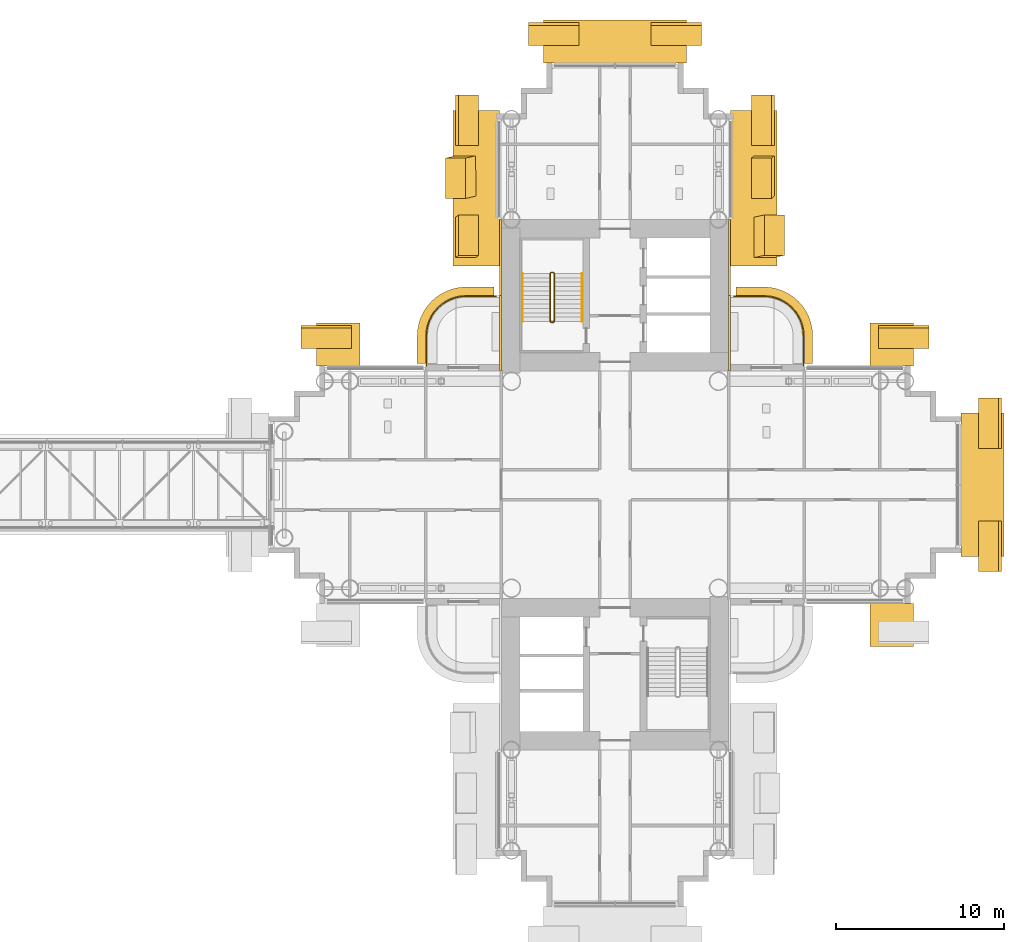
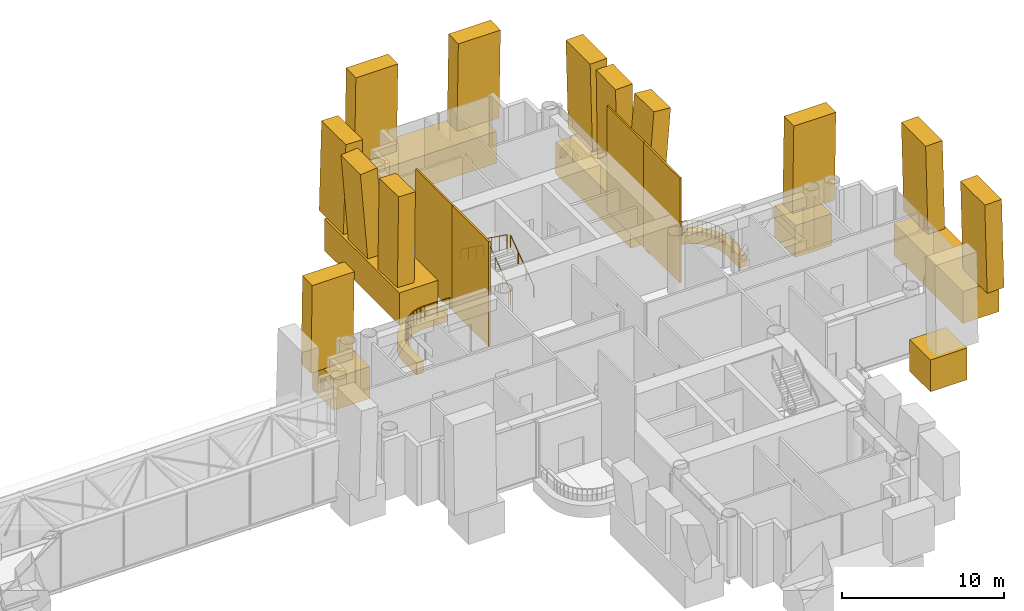
# One storey, part 26 of 27: 25 coverings, 5 railings.
"""IFC4 building model written with IfcOpenShell, lengths in metres."""

from ifc_helpers import new_model, si_unit, direction, frame, origin, origin_2d, place, context, subcontext, project, spatial, polyline, rectangle, circle, outline, extrude, material, layer, layer_set, material_profile, profile_set, type_object, element, save


model = new_model("IFC4")

# Units and contexts
model_context = context("Model", 3, precision=1e-05, world=origin(), true_north=direction((0.0, 1.0)))
body_context = subcontext(model_context, "Body", "Model", "MODEL_VIEW")
ifc_project = project(units=[si_unit("LENGTHUNIT", "METRE"), si_unit("AREAUNIT", "SQUARE_METRE"), si_unit("VOLUMEUNIT", "CUBIC_METRE"), si_unit("PLANEANGLEUNIT", "RADIAN"), si_unit("MASSUNIT", "GRAM", prefix="KILO")], contexts=[model_context])

# Site, building, storey
site_placement = place(None, origin())
site = spatial("IfcSite", under=ifc_project, at=site_placement, CompositionType="ELEMENT")
building_placement = place(site_placement, origin())
building = spatial("IfcBuilding", under=site, at=building_placement, Name="Ipe Terrace Towers", CompositionType="ELEMENT")
storey_placement = place(building_placement, frame((0.0, 0.0, 72.10009765625)))
storey = spatial("IfcBuildingStorey", under=building, at=storey_placement, Name="L19", CompositionType="ELEMENT", Elevation=72.10009765625)

# Railings
ifc_material_1 = material(Name="Stainless steel S316", Category="steel")
railing_type_1 = type_object("IfcRailingType", Name="GUARD 1100", PredefinedType="BALUSTRADE", material=ifc_material_1)
railing_1_placement = place(storey_placement, frame((28.929931640625, 11.199951171875, -0.02001953125)))
element("IfcRailing", 1, at=railing_1_placement, inside=storey, type_object=railing_type_1, Name="guard", PredefinedType="BALUSTRADE", context=body_context, shape_type="SweptSolid", body=[
    extrude(circle(Radius=0.02392578125, at=origin_2d()), frame((0.0, 0.0, 1.076171875), z_axis=(-1.0, 0.0, 0.0), x_axis=(0.0, -1.0, 0.0)), (0.0, 0.0, 1.0), 1.77783203125),
    extrude(circle(Radius=0.02392578125, at=origin_2d()), frame((-1.77783203125, 0.0, 1.076171875), z_axis=(-0.99790894031, -0.064635492184, 0.0), x_axis=(0.064635492184, -0.99790894031, 0.0)), (0.0, 0.0, 1.0), 0.309814453125),
    extrude(circle(Radius=0.02392578125, at=origin_2d()), frame((-2.0869140625, -0.02001953125, 1.076171875), z_axis=(-0.980824674538, -0.194892169718, 0.0), x_axis=(0.194892169718, -0.980824674538, 0.0)), (0.0, 0.0, 1.0), 0.306884765625),
    extrude(circle(Radius=0.02392578125, at=origin_2d()), frame((-2.387939453125, -0.079833984375, 1.076171875), z_axis=(-0.946598348228, -0.322415209212, 0.0), x_axis=(0.322415209212, -0.946598348228, 0.0)), (0.0, 0.0, 1.0), 0.307373046875),
    extrude(circle(Radius=0.02392578125, at=origin_2d()), frame((-2.678955078125, -0.178955078125, 1.076171875), z_axis=(-0.896952807524, -0.44212629539, 0.0), x_axis=(0.44212629539, -0.896952807524, 0.0)), (0.0, 0.0, 1.0), 0.3076171875),
    extrude(circle(Radius=0.02392578125, at=origin_2d()), frame((-2.954833984375, -0.31494140625, 1.076171875), z_axis=(-0.831806228742, -0.555066120228, 0.0), x_axis=(0.555066120228, -0.831806228742, 0.0)), (0.0, 0.0, 1.0), 0.307861328125),
    extrude(circle(Radius=0.02392578125, at=origin_2d()), frame((-3.2109375, -0.48583984375, 1.076171875), z_axis=(-0.752478137252, -0.658617227954, 0.0), x_axis=(0.658617227954, -0.752478137252, 0.0)), (0.0, 0.0, 1.0), 0.306884765625),
    extrude(circle(Radius=0.02392578125, at=origin_2d()), frame((-3.44189453125, -0.68798828125, 1.076171875), z_axis=(-0.658617227954, -0.752478137252, 0.0), x_axis=(0.752478137252, -0.658617227954, 0.0)), (0.0, 0.0, 1.0), 0.306884765625),
    extrude(circle(Radius=0.02392578125, at=origin_2d()), frame((-3.64404296875, -0.9189453125, 1.076171875), z_axis=(-0.555066120228, -0.831806228742, 0.0), x_axis=(0.831806228742, -0.555066120228, 0.0)), (0.0, 0.0, 1.0), 0.307861328125),
    extrude(circle(Radius=0.02392578125, at=origin_2d()), frame((-3.81494140625, -1.175048828125, 1.076171875), z_axis=(-0.44212629539, -0.896952807524, 0.0), x_axis=(0.896952807524, -0.44212629539, 0.0)), (0.0, 0.0, 1.0), 0.3076171875),
    extrude(circle(Radius=0.02392578125, at=origin_2d()), frame((-3.950927734375, -1.450927734375, 1.076171875), z_axis=(-0.322415209212, -0.946598348228, 0.0), x_axis=(0.946598348228, -0.322415209212, 0.0)), (0.0, 0.0, 1.0), 0.307373046875),
    extrude(circle(Radius=0.02392578125, at=origin_2d()), frame((-4.050048828125, -1.741943359375, 1.076171875), z_axis=(-0.194892169718, -0.980824674538, 0.0), x_axis=(0.980824674538, -0.194892169718, 0.0)), (0.0, 0.0, 1.0), 0.306884765625),
    extrude(circle(Radius=0.02392578125, at=origin_2d()), frame((-4.10986328125, -2.04296875, 1.076171875), z_axis=(-0.064635492184, -0.99790894031, 0.0), x_axis=(0.99790894031, -0.064635492184, 0.0)), (0.0, 0.0, 1.0), 0.309814453125),
    extrude(circle(Radius=0.02392578125, at=origin_2d()), frame((-4.1298828125, -2.35205078125, 1.076171875), z_axis=(0.0, -1.0, 0.0), x_axis=(1.0, 0.0, 0.0)), (0.0, 0.0, 1.0), 1.77783203125),
    extrude(circle(Radius=0.02099609375, at=origin_2d()), origin(), (0.0, 0.0, 1.0), 1.052001953125),
    extrude(circle(Radius=0.02099609375, at=origin_2d()), frame((-0.888916015625, 0.0, 0.0)), (0.0, 0.0, 1.0), 1.052001953125),
    extrude(circle(Radius=0.02099609375, at=origin_2d()), frame((-1.77783203125, 0.0, 0.0)), (0.0, 0.0, 1.0), 1.052001953125),
    extrude(circle(Radius=0.02099609375, at=origin_2d()), frame((-2.0869140625, -0.02001953125, 0.0)), (0.0, 0.0, 1.0), 1.052001953125),
    extrude(circle(Radius=0.02099609375, at=origin_2d()), frame((-2.387939453125, -0.079833984375, 0.0)), (0.0, 0.0, 1.0), 1.052001953125),
    extrude(circle(Radius=0.02099609375, at=origin_2d()), frame((-2.678955078125, -0.178955078125, 0.0)), (0.0, 0.0, 1.0), 1.052001953125),
    extrude(circle(Radius=0.02099609375, at=origin_2d()), frame((-2.954833984375, -0.31494140625, 0.0)), (0.0, 0.0, 1.0), 1.052001953125),
    extrude(circle(Radius=0.02099609375, at=origin_2d()), frame((-3.2109375, -0.48583984375, 0.0)), (0.0, 0.0, 1.0), 1.052001953125),
    extrude(circle(Radius=0.02099609375, at=origin_2d()), frame((-3.44189453125, -0.68798828125, 0.0)), (0.0, 0.0, 1.0), 1.052001953125),
    extrude(circle(Radius=0.02099609375, at=origin_2d()), frame((-3.64404296875, -0.9189453125, 0.0)), (0.0, 0.0, 1.0), 1.052001953125),
    extrude(circle(Radius=0.02099609375, at=origin_2d()), frame((-3.81494140625, -1.175048828125, 0.0)), (0.0, 0.0, 1.0), 1.052001953125),
    extrude(circle(Radius=0.02099609375, at=origin_2d()), frame((-3.950927734375, -1.450927734375, 0.0)), (0.0, 0.0, 1.0), 1.052001953125),
    extrude(circle(Radius=0.02099609375, at=origin_2d()), frame((-4.050048828125, -1.741943359375, 0.0)), (0.0, 0.0, 1.0), 1.052001953125),
    extrude(circle(Radius=0.02099609375, at=origin_2d()), frame((-4.10986328125, -2.04296875, 0.0)), (0.0, 0.0, 1.0), 1.052001953125),
    extrude(circle(Radius=0.02099609375, at=origin_2d()), frame((-4.1298828125, -2.35205078125, 0.0)), (0.0, 0.0, 1.0), 1.052001953125),
    extrude(circle(Radius=0.02099609375, at=origin_2d()), frame((-4.1298828125, -3.240966796875, 0.0)), (0.0, 0.0, 1.0), 1.052001953125),
    extrude(circle(Radius=0.02099609375, at=origin_2d()), frame((-4.1298828125, -4.1298828125, 0.0)), (0.0, 0.0, 1.0), 1.052001953125),
])
railing_2_placement = place(storey_placement, frame((47.199951171875, 7.070068359375, -0.02001953125)))
element("IfcRailing", 2, at=railing_2_placement, inside=storey, type_object=railing_type_1, Name="guard", PredefinedType="BALUSTRADE", context=body_context, shape_type="SweptSolid", body=[
    extrude(circle(Radius=0.02392578125, at=origin_2d()), frame((0.0, 0.0, 1.076171875), z_axis=(0.0, 1.0, 0.0), x_axis=(-1.0, 0.0, 0.0)), (0.0, 0.0, 1.0), 1.77783203125),
    extrude(circle(Radius=0.02392578125, at=origin_2d()), frame((0.0, 1.77783203125, 1.076171875), z_axis=(-0.064635492184, 0.99790894031, 0.0), x_axis=(-0.99790894031, -0.064635492184, 0.0)), (0.0, 0.0, 1.0), 0.309814453125),
    extrude(circle(Radius=0.02392578125, at=origin_2d()), frame((-0.02001953125, 2.0869140625, 1.076171875), z_axis=(-0.194892169718, 0.980824674538, 0.0), x_axis=(-0.980824674538, -0.194892169718, 0.0)), (0.0, 0.0, 1.0), 0.306884765625),
    extrude(circle(Radius=0.02392578125, at=origin_2d()), frame((-0.079833984375, 2.387939453125, 1.076171875), z_axis=(-0.322415209212, 0.946598348228, 0.0), x_axis=(-0.946598348228, -0.322415209212, 0.0)), (0.0, 0.0, 1.0), 0.307373046875),
    extrude(circle(Radius=0.02392578125, at=origin_2d()), frame((-0.178955078125, 2.678955078125, 1.076171875), z_axis=(-0.44212629539, 0.896952807524, 0.0), x_axis=(-0.896952807524, -0.44212629539, 0.0)), (0.0, 0.0, 1.0), 0.3076171875),
    extrude(circle(Radius=0.02392578125, at=origin_2d()), frame((-0.31494140625, 2.954833984375, 1.076171875), z_axis=(-0.555066120228, 0.831806228742, 0.0), x_axis=(-0.831806228742, -0.555066120228, 0.0)), (0.0, 0.0, 1.0), 0.307861328125),
    extrude(circle(Radius=0.02392578125, at=origin_2d()), frame((-0.48583984375, 3.2109375, 1.076171875), z_axis=(-0.658617227954, 0.752478137252, 0.0), x_axis=(-0.752478137252, -0.658617227954, 0.0)), (0.0, 0.0, 1.0), 0.306884765625),
    extrude(circle(Radius=0.02392578125, at=origin_2d()), frame((-0.68798828125, 3.44189453125, 1.076171875), z_axis=(-0.752478137252, 0.658617227954, 0.0), x_axis=(-0.658617227954, -0.752478137252, 0.0)), (0.0, 0.0, 1.0), 0.306884765625),
    extrude(circle(Radius=0.02392578125, at=origin_2d()), frame((-0.9189453125, 3.64404296875, 1.076171875), z_axis=(-0.831806228742, 0.555066120228, 0.0), x_axis=(-0.555066120228, -0.831806228742, 0.0)), (0.0, 0.0, 1.0), 0.307861328125),
    extrude(circle(Radius=0.02392578125, at=origin_2d()), frame((-1.175048828125, 3.81494140625, 1.076171875), z_axis=(-0.896952807524, 0.44212629539, 0.0), x_axis=(-0.44212629539, -0.896952807524, 0.0)), (0.0, 0.0, 1.0), 0.3076171875),
    extrude(circle(Radius=0.02392578125, at=origin_2d()), frame((-1.450927734375, 3.950927734375, 1.076171875), z_axis=(-0.946598348228, 0.322415209212, 0.0), x_axis=(-0.322415209212, -0.946598348228, 0.0)), (0.0, 0.0, 1.0), 0.307373046875),
    extrude(circle(Radius=0.02392578125, at=origin_2d()), frame((-1.741943359375, 4.050048828125, 1.076171875), z_axis=(-0.980824674538, 0.194892169718, 0.0), x_axis=(-0.194892169718, -0.980824674538, 0.0)), (0.0, 0.0, 1.0), 0.306884765625),
    extrude(circle(Radius=0.02392578125, at=origin_2d()), frame((-2.04296875, 4.10986328125, 1.076171875), z_axis=(-0.99790894031, 0.064635492184, 0.0), x_axis=(-0.064635492184, -0.99790894031, 0.0)), (0.0, 0.0, 1.0), 0.309814453125),
    extrude(circle(Radius=0.02392578125, at=origin_2d()), frame((-2.35205078125, 4.1298828125, 1.076171875), z_axis=(-1.0, 0.0, 0.0), x_axis=(0.0, -1.0, 0.0)), (0.0, 0.0, 1.0), 1.77783203125),
    extrude(circle(Radius=0.02099609375, at=origin_2d()), origin(), (0.0, 0.0, 1.0), 1.052001953125),
    extrude(circle(Radius=0.02099609375, at=origin_2d()), frame((0.0, 0.888916015625, 0.0)), (0.0, 0.0, 1.0), 1.052001953125),
    extrude(circle(Radius=0.02099609375, at=origin_2d()), frame((0.0, 1.77783203125, 0.0)), (0.0, 0.0, 1.0), 1.052001953125),
    extrude(circle(Radius=0.02099609375, at=origin_2d()), frame((-0.02001953125, 2.0869140625, 0.0)), (0.0, 0.0, 1.0), 1.052001953125),
    extrude(circle(Radius=0.02099609375, at=origin_2d()), frame((-0.079833984375, 2.387939453125, 0.0)), (0.0, 0.0, 1.0), 1.052001953125),
    extrude(circle(Radius=0.02099609375, at=origin_2d()), frame((-0.178955078125, 2.678955078125, 0.0)), (0.0, 0.0, 1.0), 1.052001953125),
    extrude(circle(Radius=0.02099609375, at=origin_2d()), frame((-0.31494140625, 2.954833984375, 0.0)), (0.0, 0.0, 1.0), 1.052001953125),
    extrude(circle(Radius=0.02099609375, at=origin_2d()), frame((-0.48583984375, 3.2109375, 0.0)), (0.0, 0.0, 1.0), 1.052001953125),
    extrude(circle(Radius=0.02099609375, at=origin_2d()), frame((-0.68798828125, 3.44189453125, 0.0)), (0.0, 0.0, 1.0), 1.052001953125),
    extrude(circle(Radius=0.02099609375, at=origin_2d()), frame((-0.9189453125, 3.64404296875, 0.0)), (0.0, 0.0, 1.0), 1.052001953125),
    extrude(circle(Radius=0.02099609375, at=origin_2d()), frame((-1.175048828125, 3.81494140625, 0.0)), (0.0, 0.0, 1.0), 1.052001953125),
    extrude(circle(Radius=0.02099609375, at=origin_2d()), frame((-1.450927734375, 3.950927734375, 0.0)), (0.0, 0.0, 1.0), 1.052001953125),
    extrude(circle(Radius=0.02099609375, at=origin_2d()), frame((-1.741943359375, 4.050048828125, 0.0)), (0.0, 0.0, 1.0), 1.052001953125),
    extrude(circle(Radius=0.02099609375, at=origin_2d()), frame((-2.04296875, 4.10986328125, 0.0)), (0.0, 0.0, 1.0), 1.052001953125),
    extrude(circle(Radius=0.02099609375, at=origin_2d()), frame((-2.35205078125, 4.1298828125, 0.0)), (0.0, 0.0, 1.0), 1.052001953125),
    extrude(circle(Radius=0.02099609375, at=origin_2d()), frame((-3.240966796875, 4.1298828125, 0.0)), (0.0, 0.0, 1.0), 1.052001953125),
    extrude(circle(Radius=0.02099609375, at=origin_2d()), frame((-4.1298828125, 4.1298828125, 0.0)), (0.0, 0.0, 1.0), 1.052001953125),
])

# Coverings
ifc_material_2 = material(Name="Concrete C50/60 precast, buff finish", Category="concrete")
ifc_layer_1 = layer(ifc_material_2, 0.1201171875)
ifc_layer_set_1 = layer_set([ifc_layer_1], Name="STONE CORE CLADDING 120")
covering_type_1 = type_object("IfcCoveringType", Name="STONE CORE CLADDING 120", PredefinedType="CLADDING", material=ifc_layer_set_1)
covering_1_placement = place(storey_placement, frame((29.18994140625, 9.0, 0.0), z_axis=(0.0, 0.0, 1.0), x_axis=(0.0, -1.0, 0.0)))
element("IfcCovering", 3, at=covering_1_placement, inside=storey, type_object=covering_type_1, Name="stone core cladding", PredefinedType="CLADDING", context=body_context, shape_type="SweptSolid", body=[
    extrude(rectangle(XDim=4.5, YDim=0.1201171875, at=origin_2d()), origin(), (0.0, 0.0, 1.0), 7.89990234375),
])
covering_2_placement = place(storey_placement, frame((29.18994140625, 13.5, 0.0), z_axis=(0.0, 0.0, 1.0), x_axis=(0.0, -1.0, 0.0)))
element("IfcCovering", 4, at=covering_2_placement, inside=storey, type_object=covering_type_1, Name="stone core cladding", PredefinedType="CLADDING", context=body_context, shape_type="SweptSolid", body=[
    extrude(rectangle(XDim=4.5009765625, YDim=0.1201171875, at=origin_2d()), origin(), (0.0, 0.0, 1.0), 7.89990234375),
])
covering_3_placement = place(storey_placement, frame((42.81005859375, 9.0, 0.0), z_axis=(0.0, 0.0, 1.0), x_axis=(0.0, 1.0, 0.0)))
element("IfcCovering", 5, at=covering_3_placement, inside=storey, type_object=covering_type_1, Name="stone core cladding", PredefinedType="CLADDING", context=body_context, shape_type="SweptSolid", body=[
    extrude(rectangle(XDim=4.5, YDim=0.1201171875, at=origin_2d()), origin(), (0.0, 0.0, 1.0), 7.89990234375),
])
covering_4_placement = place(storey_placement, frame((42.81005859375, 13.5, 0.0), z_axis=(0.0, 0.0, 1.0), x_axis=(0.0, 1.0, 0.0)))
element("IfcCovering", 6, at=covering_4_placement, inside=storey, type_object=covering_type_1, Name="stone core cladding", PredefinedType="CLADDING", context=body_context, shape_type="SweptSolid", body=[
    extrude(rectangle(XDim=4.5009765625, YDim=0.1201171875, at=origin_2d()), origin(), (0.0, 0.0, 1.0), 7.89990234375),
])
ifc_material_3 = material(Name="Concrete C50/60 precast, buff finish", Category="concrete")
ifc_layer_2 = layer(ifc_material_3, 0.5)
ifc_layer_set_2 = layer_set([ifc_layer_2], Name="STONE EDGE BAND 500 x 900")
covering_type_2 = type_object("IfcCoveringType", Name="STONE EDGE BAND 500 x 900", PredefinedType="CLADDING", material=ifc_layer_set_2)
covering_5_placement = place(storey_placement, frame((0.0, 0.0, -0.72021484375)))
element("IfcCovering", 7, at=covering_5_placement, inside=storey, type_object=covering_type_2, Name="stone edge band", PredefinedType="CLADDING", context=body_context, shape_type="SweptSolid", body=[
    extrude(outline(polyline([(24.25, 8.85009765625), (24.25, 7.199951171875), (24.75, 7.199951171875), (24.75, 8.85009765625), (24.77099609375, 9.1630859375), (24.83203125, 9.470947265625), (24.93310546875, 9.76806640625), (25.072021484375, 10.050048828125), (25.24609375, 10.31103515625), (25.452880859375, 10.547119140625), (25.68896484375, 10.75390625), (25.949951171875, 10.927978515625), (26.23193359375, 11.06689453125), (26.529052734375, 11.16796875), (26.8369140625, 11.22900390625), (27.14990234375, 11.25), (28.800048828125, 11.25), (28.800048828125, 11.75), (27.14990234375, 11.75), (27.116943359375, 11.7490234375), (26.803955078125, 11.72802734375), (26.739013671875, 11.719970703125), (26.430908203125, 11.658935546875), (26.367919921875, 11.64208984375), (26.071044921875, 11.541015625), (26.010009765625, 11.51611328125), (25.72900390625, 11.376953125), (25.672119140625, 11.343994140625), (25.410888671875, 11.169921875), (25.35888671875, 11.1298828125), (25.123046875, 10.923095703125), (25.076904296875, 10.876953125), (24.8701171875, 10.64111328125), (24.830078125, 10.589111328125), (24.656005859375, 10.327880859375), (24.623046875, 10.27099609375), (24.48388671875, 9.989990234375), (24.458984375, 9.928955078125), (24.35791015625, 9.632080078125), (24.341064453125, 9.569091796875), (24.280029296875, 9.260986328125), (24.27197265625, 9.196044921875), (24.2509765625, 8.883056640625), (24.25, 8.85009765625)])), origin(), (0.0, 0.0, 1.0), 0.900146484375),
])
covering_6_placement = place(storey_placement, frame((0.0, 0.0, -0.72021484375)))
element("IfcCovering", 8, at=covering_6_placement, inside=storey, type_object=covering_type_2, Name="stone edge band", PredefinedType="CLADDING", context=body_context, shape_type="SweptSolid", body=[
    extrude(outline(polyline([(47.75, 8.85009765625), (47.7490234375, 8.883056640625), (47.72802734375, 9.196044921875), (47.719970703125, 9.260986328125), (47.658935546875, 9.569091796875), (47.64208984375, 9.632080078125), (47.541015625, 9.928955078125), (47.51611328125, 9.989990234375), (47.376953125, 10.27099609375), (47.343994140625, 10.327880859375), (47.169921875, 10.589111328125), (47.1298828125, 10.64111328125), (46.923095703125, 10.876953125), (46.876953125, 10.923095703125), (46.64111328125, 11.1298828125), (46.589111328125, 11.169921875), (46.327880859375, 11.343994140625), (46.27099609375, 11.376953125), (45.989990234375, 11.51611328125), (45.928955078125, 11.541015625), (45.632080078125, 11.64208984375), (45.569091796875, 11.658935546875), (45.260986328125, 11.719970703125), (45.196044921875, 11.72802734375), (44.883056640625, 11.7490234375), (44.85009765625, 11.75), (43.199951171875, 11.75), (43.199951171875, 11.25), (44.85009765625, 11.25), (45.1630859375, 11.22900390625), (45.470947265625, 11.16796875), (45.76806640625, 11.06689453125), (46.050048828125, 10.927978515625), (46.31103515625, 10.75390625), (46.547119140625, 10.547119140625), (46.75390625, 10.31103515625), (46.927978515625, 10.050048828125), (47.06689453125, 9.76806640625), (47.16796875, 9.470947265625), (47.22900390625, 9.1630859375), (47.25, 8.85009765625), (47.25, 7.199951171875), (47.75, 7.199951171875), (47.75, 8.85009765625)])), origin(), (0.0, 0.0, 1.0), 0.900146484375),
])
ifc_material_4 = material(Name="Concrete C50/60 precast, buff finish", Category="concrete")
ifc_material_profile_1 = material_profile(ifc_material_4, rectangle(XDim=2.39990234375, YDim=1.199951171875, at=origin_2d()), Name="STONE FIN 2400 x 1200")
ifc_profile_set_1 = profile_set([ifc_material_profile_1], Name="Concrete C50/60 precast, buff finish")
covering_type_3 = type_object("IfcCoveringType", Name="STONE FIN 2400 x 1200", PredefinedType="USERDEFINED", material=ifc_profile_set_1)
covering_7_placement = place(storey_placement, frame((27.1298828125, 18.35009765625, 1.199951171875), z_axis=(-0.089912006855, -0.020210245286, 0.995744634436), x_axis=(0.001817514937, -0.999795752134, -0.020128354477)))
element("IfcCovering", 9, at=covering_7_placement, inside=storey, type_object=covering_type_3, Name="stone fin", ObjectType="FIN", PredefinedType="USERDEFINED", context=body_context, shape_type="SweptSolid", body=[
    extrude(rectangle(XDim=2.39990234375, YDim=1.199951171875, at=origin_2d()), origin(), (0.0, 0.0, 1.0), 6.728515625),
])
for number, where, z_axis, x_axis, name in (
    (10, (27.1298828125, 14.699951171875, 1.199951171875), (0.025093510566, 0.020286045552, 0.999479260457), (0.000509152872, -0.999794217005, 0.020279655014), "stone fin"),
    (11, (44.8701171875, 18.35009765625, 1.199951171875), (-0.025093510566, -0.020286045552, 0.999479260457), (-0.000509152872, 0.999794217005, 0.020279655014), "stone fin"),
):
    element("IfcCovering", number, at=place(storey_placement, frame(where, z_axis=z_axis, x_axis=x_axis)), inside=storey, type_object=covering_type_3, Name=name, ObjectType="FIN", PredefinedType="USERDEFINED", context=body_context, shape_type="SweptSolid", body=[
        extrude(rectangle(XDim=2.39990234375, YDim=1.199951171875, at=origin_2d()), origin(), (0.0, 0.0, 1.0), 6.703369140625),
    ])
covering_8_placement = place(storey_placement, frame((44.8701171875, 14.699951171875, 1.199951171875), z_axis=(0.089912006855, 0.020210245286, 0.995744634436), x_axis=(-0.001817514937, 0.999795752134, -0.020128354477)))
element("IfcCovering", 12, at=covering_8_placement, inside=storey, type_object=covering_type_3, Name="stone fin", ObjectType="FIN", PredefinedType="USERDEFINED", context=body_context, shape_type="SweptSolid", body=[
    extrude(rectangle(XDim=2.39990234375, YDim=1.199951171875, at=origin_2d()), origin(), (0.0, 0.0, 1.0), 6.728515625),
])
ifc_material_5 = material(Name="Concrete C50/60 precast, buff finish", Category="concrete")
ifc_material_profile_2 = material_profile(ifc_material_5, rectangle(XDim=3.0, YDim=1.199951171875, at=origin_2d()), Name="STONE FIN CORNER 3000 x 1200")
ifc_profile_set_2 = profile_set([ifc_material_profile_2], Name="Concrete C50/60 precast, buff finish")
covering_type_4 = type_object("IfcCoveringType", Name="STONE FIN CORNER 3000 x 1200", PredefinedType="USERDEFINED", material=ifc_profile_set_2)
for number, where, z_axis, x_axis, name in (
    (13, (18.85009765625, 8.8701171875, 1.199951171875), (0.0, -0.025098675446, 0.999684978626), (-1.0, 0.0, 0.0), "stone fin"),
    (14, (27.1298828125, 21.64990234375, 1.199951171875), (0.025098675446, 0.0, 0.999684978626), (0.0, -1.0, 0.0), "stone fin"),
    (15, (32.35009765625, 26.8701171875, 1.199951171875), (0.0, -0.025098675446, 0.999684978626), (-1.0, 0.0, 0.0), "stone fin"),
    (16, (39.64990234375, 26.8701171875, 1.199951171875), (0.0, -0.025098675446, 0.999684978626), (-1.0, 0.0, 0.0), "stone fin"),
    (17, (44.8701171875, 21.64990234375, 1.199951171875), (-0.025098675446, 0.0, 0.999684978626), (0.0, 1.0, 0.0), "stone fin"),
    (18, (53.14990234375, 8.8701171875, 1.199951171875), (0.0, -0.025098675446, 0.999684978626), (-1.0, 0.0, 0.0), "stone fin"),
    (19, (58.3701171875, -3.64990234375, 1.199951171875), (-0.025098675446, 0.0, 0.999684978626), (0.0, 1.0, 0.0), "stone fin"),
    (20, (58.3701171875, 3.64990234375, 1.199951171875), (-0.025098675446, 0.0, 0.999684978626), (0.0, 1.0, 0.0), "stone fin"),
):
    element("IfcCovering", number, at=place(storey_placement, frame(where, z_axis=z_axis, x_axis=x_axis)), inside=storey, type_object=covering_type_4, Name=name, ObjectType="FIN", PredefinedType="USERDEFINED", context=body_context, shape_type="SweptSolid", body=[
        extrude(rectangle(XDim=3.0, YDim=1.199951171875, at=origin_2d()), origin(), (0.0, 0.0, 1.0), 6.7021484375),
    ])
ifc_material_6 = material(Name="Concrete C50/60 precast, buff finish", Category="concrete")
ifc_material_profile_3 = material_profile(ifc_material_6, rectangle(XDim=2.56005859375, YDim=2.39990234375, at=origin_2d()), Name="STONE FIN SPANDREL 2560 x 2400")
ifc_profile_set_3 = profile_set([ifc_material_profile_3], Name="Concrete C50/60 precast, buff finish")
covering_type_5 = type_object("IfcCoveringType", Name="STONE FIN SPANDREL 2560 x 2400", PredefinedType="CLADDING", material=ifc_profile_set_3)
covering_9_placement = place(storey_placement, frame((51.14990234375, -8.340087890625, 0.0), z_axis=(1.0, 0.0, 0.0), x_axis=(0.0, -1.0, 0.0)))
element("IfcCovering", 21, at=covering_9_placement, inside=storey, type_object=covering_type_5, Name="stone fin spandrel", PredefinedType="CLADDING", context=body_context, shape_type="SweptSolid", body=[
    extrude(rectangle(XDim=2.56005859375, YDim=2.39990234375, at=origin_2d()), origin(), (0.0, 0.0, 1.0), 2.60009765625),
])
covering_10_placement = place(storey_placement, frame((57.840087890625, -4.25, 0.0), z_axis=(0.0, 1.0, 0.0), x_axis=(1.0, 0.0, 0.0)))
element("IfcCovering", 22, at=covering_10_placement, inside=storey, type_object=covering_type_5, Name="stone fin spandrel", PredefinedType="CLADDING", context=body_context, shape_type="SweptSolid", body=[
    extrude(rectangle(XDim=2.56005859375, YDim=2.39990234375, at=origin_2d()), origin(), (0.0, 0.0, 1.0), 8.5),
])
covering_11_placement = place(storey_placement, frame((53.75, 8.340087890625, 0.0), z_axis=(-1.0, 0.0, 0.0), x_axis=(0.0, 1.0, 0.0)))
element("IfcCovering", 23, at=covering_11_placement, inside=storey, type_object=covering_type_5, Name="stone fin spandrel", PredefinedType="CLADDING", context=body_context, shape_type="SweptSolid", body=[
    extrude(rectangle(XDim=2.56005859375, YDim=2.39990234375, at=origin_2d()), origin(), (0.0, 0.0, 1.0), 2.60009765625),
])
covering_12_placement = place(storey_placement, frame((40.25, 26.340087890625, 0.0), z_axis=(-1.0, 0.0, 0.0), x_axis=(0.0, 1.0, 0.0)))
element("IfcCovering", 24, at=covering_12_placement, inside=storey, type_object=covering_type_5, Name="stone fin spandrel", PredefinedType="CLADDING", context=body_context, shape_type="SweptSolid", body=[
    extrude(rectangle(XDim=2.56005859375, YDim=2.39990234375, at=origin_2d()), origin(), (0.0, 0.0, 1.0), 8.5),
])
covering_13_placement = place(storey_placement, frame((20.85009765625, 8.340087890625, 0.0), z_axis=(-1.0, 0.0, 0.0), x_axis=(0.0, 1.0, 0.0)))
element("IfcCovering", 25, at=covering_13_placement, inside=storey, type_object=covering_type_5, Name="stone fin spandrel", PredefinedType="CLADDING", context=body_context, shape_type="SweptSolid", body=[
    extrude(rectangle(XDim=2.56005859375, YDim=2.39990234375, at=origin_2d()), origin(), (0.0, 0.0, 1.0), 2.60009765625),
])
ifc_material_7 = material(Name="Concrete C50/60 precast, buff finish", Category="concrete")
ifc_material_profile_4 = material_profile(ifc_material_7, rectangle(XDim=2.760009765625, YDim=2.39990234375, at=origin_2d()), Name="STONE FIN SPANDREL 2760 x 2400")
ifc_profile_set_4 = profile_set([ifc_material_profile_4], Name="Concrete C50/60 precast, buff finish")
covering_type_6 = type_object("IfcCoveringType", Name="STONE FIN SPANDREL 2760 x 2400", PredefinedType="CLADDING", material=ifc_profile_set_4)
for number, where, z_axis, x_axis, name in (
    (26, (44.239990234375, 13.0, 0.0), (0.0, 1.0, 0.0), (1.0, 0.0, 0.0), "stone fin spandrel"),
    (27, (27.760009765625, 22.25, 0.0), (0.0, -1.0, 0.0), (-1.0, 0.0, 0.0), "stone fin spandrel"),
):
    element("IfcCovering", number, at=place(storey_placement, frame(where, z_axis=z_axis, x_axis=x_axis)), inside=storey, type_object=covering_type_6, Name=name, PredefinedType="CLADDING", context=body_context, shape_type="SweptSolid", body=[
        extrude(rectangle(XDim=2.760009765625, YDim=2.39990234375, at=origin_2d()), origin(), (0.0, 0.0, 1.0), 9.25),
    ])

# Railings
ifc_material_8 = material(Name="Steel S355", Category="steel")
railing_type_2 = type_object("IfcRailingType", Name="Stair guard 1100", PredefinedType="GUARDRAIL", material=ifc_material_8)
railing_3_placement = place(storey_placement, frame((32.199951171875, 9.64990234375, 0.0)))
element("IfcRailing", 28, at=railing_3_placement, inside=storey, type_object=railing_type_2, Name="L19 T2-ST1 stair guard 1", PredefinedType="GUARDRAIL", context=body_context, shape_type="SweptSolid", body=[
    extrude(circle(Radius=0.02392578125, at=origin_2d()), frame((0.0, 0.0, 1.076171875), z_axis=(1.0, 0.0, 0.0), x_axis=(0.0, 1.0, 0.0)), (0.0, 0.0, 1.0), 0.150146484375),
    extrude(circle(Radius=0.02392578125, at=origin_2d()), frame((0.150146484375, 0.0, 1.076171875), z_axis=(0.248583702486, 0.249802250048, 0.935844527007), x_axis=(-0.708833529934, 0.705375805398, 0.0)), (0.0, 0.0, 1.0), 0.200439453125),
    extrude(circle(Radius=0.02392578125, at=origin_2d()), frame((0.199951171875, 0.050048828125, 1.263671875), z_axis=(0.0, 0.811100754333, 0.584906459462), x_axis=(-1.0, 0.0, 0.0)), (0.0, 0.0, 1.0), 3.526123046875),
    extrude(circle(Radius=0.02392578125, at=origin_2d()), frame((0.199951171875, 2.91015625, 3.326171875), z_axis=(-0.705375805398, 0.708833529934, 0.0), x_axis=(-0.708833529934, -0.705375805398, 0.0)), (0.0, 0.0, 1.0), 0.070556640625),
    extrude(circle(Radius=0.02392578125, at=origin_2d()), frame((0.150146484375, 2.960205078125, 3.326171875), z_axis=(-1.0, 0.0, 0.0), x_axis=(0.0, -1.0, 0.0)), (0.0, 0.0, 1.0), 0.150146484375),
    extrude(circle(Radius=0.02392578125, at=origin_2d()), frame((0.0, 2.960205078125, 3.326171875), z_axis=(-0.249726431254, -0.249726431254, 0.935560483917), x_axis=(0.707106781187, -0.707106781187, 0.0)), (0.0, 0.0, 1.0), 0.200439453125),
    extrude(circle(Radius=0.02392578125, at=origin_2d()), frame((-0.050048828125, 2.91015625, 3.513671875), z_axis=(0.0, -0.811100754333, 0.584906459462), x_axis=(1.0, 0.0, 0.0)), (0.0, 0.0, 1.0), 3.526123046875),
    extrude(circle(Radius=0.02099609375, at=origin_2d()), origin(), (0.0, 0.0, 1.0), 1.052001953125),
    extrude(circle(Radius=0.02099609375, at=origin_2d()), frame((0.150146484375, 0.0, 0.0)), (0.0, 0.0, 1.0), 1.052001953125),
    extrude(circle(Radius=0.02099609375, at=origin_2d()), frame((0.199951171875, 0.050048828125, 0.1875)), (0.0, 0.0, 1.0), 1.052001953125),
    extrude(circle(Radius=0.02099609375, at=origin_2d()), frame((0.199951171875, 1.00341796875, 0.875)), (0.0, 0.0, 1.0), 1.052001953125),
    extrude(circle(Radius=0.02099609375, at=origin_2d()), frame((0.199951171875, 1.956787109375, 1.5625)), (0.0, 0.0, 1.0), 1.052001953125),
    extrude(circle(Radius=0.02099609375, at=origin_2d()), frame((0.199951171875, 2.91015625, 2.25)), (0.0, 0.0, 1.0), 1.052001953125),
    extrude(circle(Radius=0.02099609375, at=origin_2d()), frame((0.150146484375, 2.960205078125, 2.25)), (0.0, 0.0, 1.0), 1.052001953125),
    extrude(circle(Radius=0.02099609375, at=origin_2d()), frame((0.0, 2.960205078125, 2.25)), (0.0, 0.0, 1.0), 1.052001953125),
    extrude(circle(Radius=0.02099609375, at=origin_2d()), frame((-0.050048828125, 2.91015625, 2.4375)), (0.0, 0.0, 1.0), 1.052001953125),
    extrude(circle(Radius=0.02099609375, at=origin_2d()), frame((-0.050048828125, 1.956787109375, 3.125)), (0.0, 0.0, 1.0), 1.052001953125),
    extrude(circle(Radius=0.02099609375, at=origin_2d()), frame((-0.050048828125, 1.00341796875, 3.8125)), (0.0, 0.0, 1.0), 1.052001953125),
    extrude(circle(Radius=0.02099609375, at=origin_2d()), frame((-0.050048828125, 0.050048828125, 4.5)), (0.0, 0.0, 1.0), 1.052001953125),
])
ifc_material_9 = material(Name="Stainless steel grade 304", Category="steel")
railing_type_3 = type_object("IfcRailingType", Name="Stair handrail 900", PredefinedType="HANDRAIL", material=ifc_material_9)
railing_4_placement = place(storey_placement, frame((34.050048828125, 9.699951171875, 0.1875)))
element("IfcRailing", 29, at=railing_4_placement, inside=storey, type_object=railing_type_3, Name="L19 T2-ST1 stair handrail 1", PredefinedType="HANDRAIL", context=body_context, shape_type="SweptSolid", body=[
    extrude(circle(Radius=0.02392578125, at=origin_2d()), frame((0.0, 0.0, 0.8759765625), z_axis=(0.0, 0.811100754333, 0.584906459462), x_axis=(-1.0, 0.0, 0.0)), (0.0, 0.0, 1.0), 3.526123046875),
    extrude(circle(Radius=0.02099609375, at=origin_2d()), origin(), (0.0, 0.0, 1.0), 0.851806640625),
    extrude(circle(Radius=0.02099609375, at=origin_2d()), frame((0.0, 0.953369140625, 0.6875)), (0.0, 0.0, 1.0), 0.851806640625),
    extrude(circle(Radius=0.02099609375, at=origin_2d()), frame((0.0, 1.90673828125, 1.375)), (0.0, 0.0, 1.0), 0.851806640625),
    extrude(circle(Radius=0.02099609375, at=origin_2d()), frame((0.0, 2.860107421875, 2.0625)), (0.0, 0.0, 1.0), 0.851806640625),
])
railing_5_placement = place(storey_placement, frame((30.5, 12.56005859375, 2.4375)))
element("IfcRailing", 30, at=railing_5_placement, inside=storey, type_object=railing_type_3, Name="L19 T2-ST1 stair handrail 2", PredefinedType="HANDRAIL", context=body_context, shape_type="SweptSolid", body=[
    extrude(circle(Radius=0.02392578125, at=origin_2d()), frame((0.0, 0.0, 0.8759765625), z_axis=(0.0, -0.811100754333, 0.584906459462), x_axis=(1.0, 0.0, 0.0)), (0.0, 0.0, 1.0), 3.526123046875),
    extrude(circle(Radius=0.02099609375, at=origin_2d()), origin(), (0.0, 0.0, 1.0), 0.851806640625),
    extrude(circle(Radius=0.02099609375, at=origin_2d()), frame((0.0, -0.953369140625, 0.6875)), (0.0, 0.0, 1.0), 0.851806640625),
    extrude(circle(Radius=0.02099609375, at=origin_2d()), frame((0.0, -1.90673828125, 1.375)), (0.0, 0.0, 1.0), 0.851806640625),
    extrude(circle(Radius=0.02099609375, at=origin_2d()), frame((0.0, -2.860107421875, 2.0625)), (0.0, 0.0, 1.0), 0.851806640625),
])

save(model, "model.ifc")
